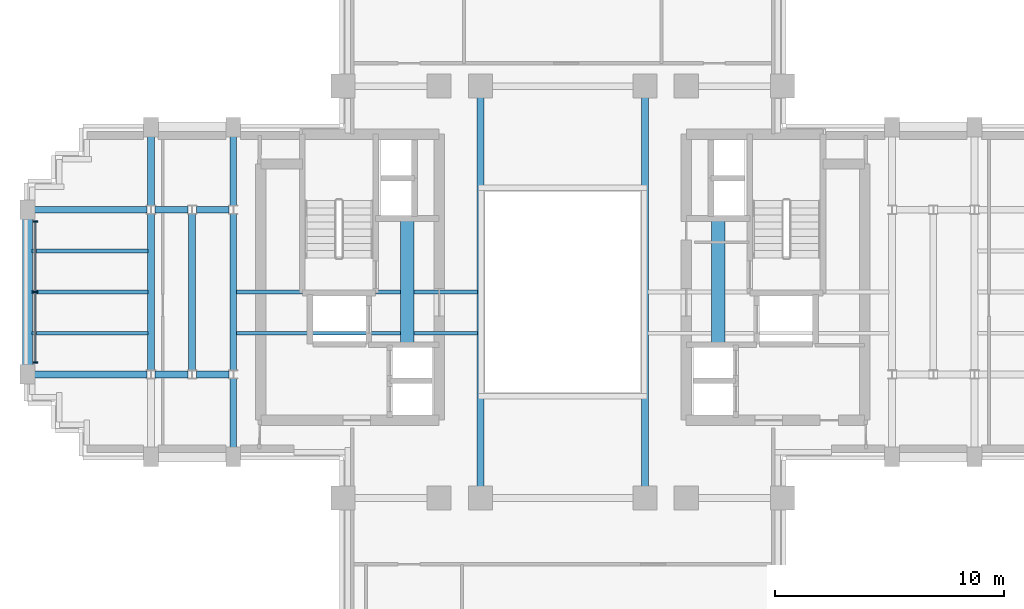
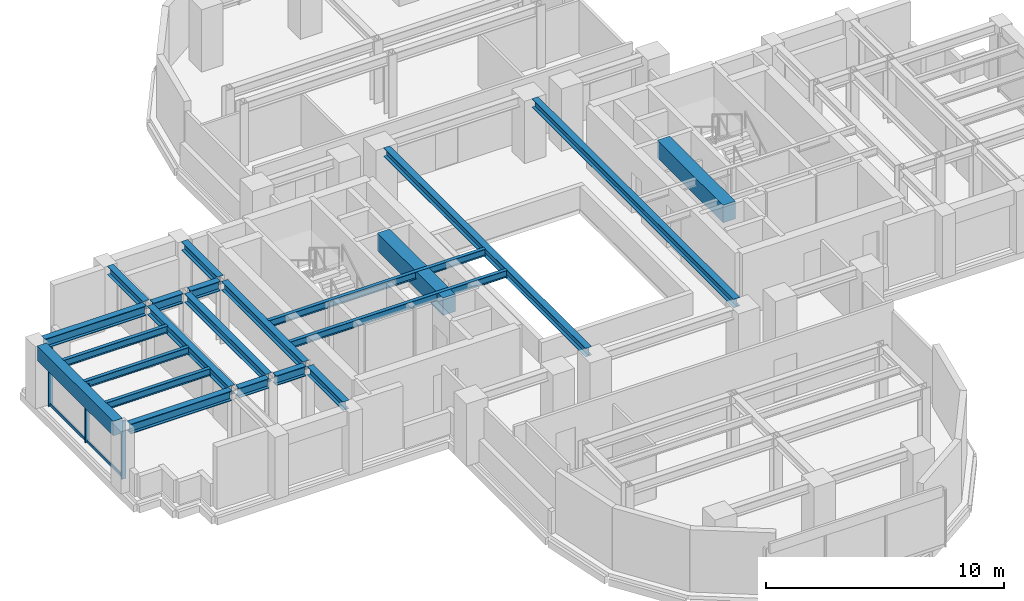
# One storey, part 4 of 13: 22 beams, 5 members, 1 element without a shape of its own.
"""IFC4 building model written with IfcOpenShell, lengths in metres."""

from ifc_helpers import new_model, si_unit, direction, frame, origin, origin_2d, place, context, subcontext, project, spatial, rectangle, i_section, extrude, source, transform, mapped, material, material_profile, profile_set, type_object, element, aggregate, save


model = new_model("IFC4")

# Units and contexts
model_context = context("Model", 3, precision=1e-05, world=origin(), true_north=direction((0.0, 1.0)))
body_context = subcontext(model_context, "Body", "Model", "MODEL_VIEW")
ifc_project = project(units=[si_unit("LENGTHUNIT", "METRE"), si_unit("AREAUNIT", "SQUARE_METRE"), si_unit("VOLUMEUNIT", "CUBIC_METRE"), si_unit("PLANEANGLEUNIT", "RADIAN"), si_unit("MASSUNIT", "GRAM", prefix="KILO")], contexts=[model_context])

# Site, building, storey
site_placement = place(None, origin())
site = spatial("IfcSite", under=ifc_project, at=site_placement, CompositionType="ELEMENT")
building_placement = place(site_placement, origin())
building = spatial("IfcBuilding", under=site, at=building_placement, Name="Keilestroom Media Tower", CompositionType="ELEMENT")
storey_placement = place(building_placement, frame((0.0, 0.0, 138.0)))
storey = spatial("IfcBuildingStorey", under=building, at=storey_placement, Name="L37", CompositionType="ELEMENT", Elevation=138.0)

# Beams
ifc_material_1 = material(Name="Concrete C70/85", Category="concrete")
ifc_material_profile_1 = material_profile(ifc_material_1, rectangle(XDim=0.60009765625, YDim=0.89990234375, at=origin_2d()), Name="RC 600x900")
ifc_profile_set_1 = profile_set([ifc_material_profile_1], Name="Concrete C70/85")
beam_type_1 = type_object("IfcBeamType", Name="Core-Coupling-Lintel-Beam-RC-600x900", PredefinedType="LINTEL", material=ifc_profile_set_1)
shared_shape_1 = source(origin(), body_context, "Body", "SweptSolid", [
    extrude(rectangle(XDim=0.60009765625, YDim=0.89990234375, at=origin_2d()), origin(), (0.0, 0.0, 1.0), 5.52001953125),
])
for number, where, z_axis, x_axis, name in (
    (1, (-6.800048828125, -2.300048828125, 2.75), (0.0, 1.0, 0.0), (-1.0, 0.0, 0.0), "L37 Beam CLB-1 CLB-L37-W"),
    (2, (6.800048828125, -2.300048828125, 2.75), (0.0, 1.0, 0.0), (-1.0, 0.0, 0.0), "L37 Beam CLB-1 CLB-L37-E"),
):
    element("IfcBeam", number, at=place(storey_placement, frame(where, z_axis=z_axis, x_axis=x_axis)), inside=storey, type_object=beam_type_1, Name=name, PredefinedType="LINTEL", context=body_context, shape_type="MappedRepresentation", body=[
        mapped(shared_shape_1, transform((0.0, 0.0, 0.0), x_axis=(1.0, 0.0, 0.0), y_axis=(0.0, 1.0, 0.0), z_axis=(0.0, 0.0, 1.0), scale=1.0)),
    ])
ifc_material_2 = material(Name="Steel S355", Category="steel")
ifc_material_profile_2 = material_profile(ifc_material_2, i_section(OverallWidth=0.169921875, OverallDepth=0.360107421875, WebThickness=0.008056640625, FlangeThickness=0.0126953125, at=origin_2d()), Name="IPE 360")
ifc_profile_set_2 = profile_set([ifc_material_profile_2], Name="Steel S355")
beam_type_2 = type_object("IfcBeamType", Name="Secondary-Floor-Joist-IPE-360", PredefinedType="JOIST", material=ifc_profile_set_2)
shared_shape_2 = source(origin(), body_context, "Body", "SweptSolid", [
    extrude(i_section(OverallWidth=0.169921875, OverallDepth=0.360107421875, WebThickness=0.008056640625, FlangeThickness=0.0126953125, at=origin_2d()), origin(), (0.0, 0.0, 1.0), 10.5400390625),
])
for number, where, z_axis, x_axis, name in (
    (3, (-14.27001953125, -1.800048828125, 3.02001953125), (1.0, 0.0, 0.0), (0.0, 1.0, 0.0), "L37 Beam BJ-5 JST-L37-072"),
    (4, (-14.27001953125, 0.0, 3.02001953125), (1.0, 0.0, 0.0), (0.0, 1.0, 0.0), "L37 Beam BJ-5 JST-L37-077"),
):
    element("IfcBeam", number, at=place(storey_placement, frame(where, z_axis=z_axis, x_axis=x_axis)), inside=storey, type_object=beam_type_2, Name=name, PredefinedType="JOIST", context=body_context, shape_type="MappedRepresentation", body=[
        mapped(shared_shape_2, transform((0.0, 0.0, 0.0), x_axis=(1.0, 0.0, 0.0), y_axis=(0.0, 1.0, 0.0), z_axis=(0.0, 0.0, 1.0), scale=1.0)),
    ])
ifc_material_profile_3 = material_profile(ifc_material_2, i_section(OverallWidth=0.300048828125, OverallDepth=0.5, WebThickness=0.012451171875, FlangeThickness=0.028076171875, at=origin_2d()), Name="HEB 500")
ifc_profile_set_3 = profile_set([ifc_material_profile_3], Name="Steel S355")
beam_type_3 = type_object("IfcBeamType", Name="Primary-Structural-Girder-HEB-500", PredefinedType="BEAM", material=ifc_profile_set_3)
shared_shape_3 = source(origin(), body_context, "Body", "SweptSolid", [
    extrude(i_section(OverallWidth=0.300048828125, OverallDepth=0.5, WebThickness=0.012451171875, FlangeThickness=0.028076171875, at=origin_2d()), origin(), (0.0, 0.0, 1.0), 4.91455078125),
])
for number, where, z_axis, x_axis, name in (
    (5, (-23.094970703125, -3.60009765625, 2.949951171875), (1.0, 0.0, 0.0), (0.0, 1.0, 0.0), "L37 Beam BG-6 BM-L37-EW-014"),
    (6, (-23.094970703125, 3.60009765625, 2.949951171875), (1.0, 0.0, 0.0), (0.0, 1.0, 0.0), "L37 Beam BG-6 BM-L37-EW-020"),
):
    element("IfcBeam", number, at=place(storey_placement, frame(where, z_axis=z_axis, x_axis=x_axis)), inside=storey, type_object=beam_type_3, Name=name, PredefinedType="BEAM", context=body_context, shape_type="MappedRepresentation", body=[
        mapped(shared_shape_3, transform((0.0, 0.0, 0.0), x_axis=(1.0, 0.0, 0.0), y_axis=(0.0, 1.0, 0.0), z_axis=(0.0, 0.0, 1.0), scale=1.0)),
    ])
shared_shape_4 = source(origin(), body_context, "Body", "SweptSolid", [
    extrude(i_section(OverallWidth=0.300048828125, OverallDepth=0.5, WebThickness=0.012451171875, FlangeThickness=0.028076171875, at=origin_2d()), origin(), (0.0, 0.0, 1.0), 1.43896484375),
])
for number, where, z_axis, x_axis, name in (
    (7, (-17.819580078125, -3.60009765625, 2.949951171875), (1.0, 0.0, 0.0), (0.0, 1.0, 0.0), "L37 Beam BG-6 BM-L37-EW-015"),
    (8, (-16.01953125, -3.60009765625, 2.949951171875), (1.0, 0.0, 0.0), (0.0, 1.0, 0.0), "L37 Beam BG-6 BM-L37-EW-016"),
    (9, (-17.819580078125, 3.60009765625, 2.949951171875), (1.0, 0.0, 0.0), (0.0, 1.0, 0.0), "L37 Beam BG-6 BM-L37-EW-021"),
    (10, (-16.01953125, 3.60009765625, 2.949951171875), (1.0, 0.0, 0.0), (0.0, 1.0, 0.0), "L37 Beam BG-6 BM-L37-EW-022"),
):
    element("IfcBeam", number, at=place(storey_placement, frame(where, z_axis=z_axis, x_axis=x_axis)), inside=storey, type_object=beam_type_3, Name=name, PredefinedType="BEAM", context=body_context, shape_type="MappedRepresentation", body=[
        mapped(shared_shape_4, transform((0.0, 0.0, 0.0), x_axis=(1.0, 0.0, 0.0), y_axis=(0.0, 1.0, 0.0), z_axis=(0.0, 0.0, 1.0), scale=1.0)),
    ])
ifc_material_3 = material(Name="Precast concrete C40/50", Category="concrete")
ifc_material_profile_4 = material_profile(ifc_material_3, rectangle(XDim=0.449951171875, YDim=0.75, at=origin_2d()), Name="PC 450x750")
ifc_profile_set_4 = profile_set([ifc_material_profile_4], Name="Precast concrete C40/50")
beam_type_4 = type_object("IfcBeamType", Name="Perimeter-Spandrel-Beam-PC-450x750", PredefinedType="SPANDREL", material=ifc_profile_set_4)
shared_shape_5 = source(origin(), body_context, "Body", "SweptSolid", [
    extrude(rectangle(XDim=0.449951171875, YDim=0.75, at=origin_2d()), origin(), (0.0, 0.0, 1.0), 6.39013671875),
])
beam_placement = place(storey_placement, frame((-23.39990234375, -3.195068359375, 2.824951171875), z_axis=(0.0, 1.0, 0.0), x_axis=(-1.0, 0.0, 0.0)))
element("IfcBeam", 11, at=beam_placement, inside=storey, type_object=beam_type_4, Name="L37 Beam SPB-1 BM-L37-NS-039", PredefinedType="SPANDREL", context=body_context, shape_type="MappedRepresentation", body=[
    mapped(shared_shape_5, transform((0.0, 0.0, 0.0), x_axis=(1.0, 0.0, 0.0), y_axis=(0.0, 1.0, 0.0), z_axis=(0.0, 0.0, 1.0), scale=1.0)),
])
shared_shape_6 = source(origin(), body_context, "Body", "SweptSolid", [
    extrude(i_section(OverallWidth=0.169921875, OverallDepth=0.360107421875, WebThickness=0.008056640625, FlangeThickness=0.0126953125, at=origin_2d()), origin(), (0.0, 0.0, 1.0), 5.065185546875),
])
for number, where, z_axis, x_axis, name in (
    (12, (-23.195068359375, -1.800048828125, 3.02001953125), (1.0, 0.0, 0.0), (0.0, 1.0, 0.0), "L37 Beam BJ-5 JST-L37-071"),
    (13, (-23.195068359375, 0.0, 3.02001953125), (1.0, 0.0, 0.0), (0.0, 1.0, 0.0), "L37 Beam BJ-5 JST-L37-076"),
    (14, (-23.195068359375, 1.800048828125, 3.02001953125), (1.0, 0.0, 0.0), (0.0, 1.0, 0.0), "L37 Beam BJ-5 JST-L37-081"),
):
    element("IfcBeam", number, at=place(storey_placement, frame(where, z_axis=z_axis, x_axis=x_axis)), inside=storey, type_object=beam_type_2, Name=name, PredefinedType="JOIST", context=body_context, shape_type="MappedRepresentation", body=[
        mapped(shared_shape_6, transform((0.0, 0.0, 0.0), x_axis=(1.0, 0.0, 0.0), y_axis=(0.0, 1.0, 0.0), z_axis=(0.0, 0.0, 1.0), scale=1.0)),
    ])
ifc_material_profile_5 = material_profile(ifc_material_2, i_section(OverallWidth=0.300048828125, OverallDepth=0.43994140625, WebThickness=0.011474609375, FlangeThickness=0.02099609375, at=origin_2d()), Name="HEA 450")
ifc_profile_set_5 = profile_set([ifc_material_profile_5], Name="Steel S355")
beam_type_5 = type_object("IfcBeamType", Name="Primary-Structural-Girder-HEA-450", PredefinedType="BEAM", material=ifc_profile_set_5)
shared_shape_7 = source(origin(), body_context, "Body", "SweptSolid", [
    extrude(i_section(OverallWidth=0.300048828125, OverallDepth=0.43994140625, WebThickness=0.011474609375, FlangeThickness=0.02099609375, at=origin_2d()), origin(), (0.0, 0.0, 1.0), 3.015380859375),
])
for number, where, z_axis, x_axis, name in (
    (15, (-18.0, 3.779541015625, 2.97998046875), (0.0, 1.0, 0.0), (-1.0, 0.0, 0.0), "L37 Beam BG-11 BM-L37-NS-042"),
    (16, (-14.39990234375, -6.794921875, 2.97998046875), (0.0, 1.0, 0.0), (-1.0, 0.0, 0.0), "L37 Beam BG-11 BM-L37-NS-044"),
    (17, (-14.39990234375, 3.779541015625, 2.97998046875), (0.0, 1.0, 0.0), (-1.0, 0.0, 0.0), "L37 Beam BG-11 BM-L37-NS-046"),
):
    element("IfcBeam", number, at=place(storey_placement, frame(where, z_axis=z_axis, x_axis=x_axis)), inside=storey, type_object=beam_type_5, Name=name, PredefinedType="BEAM", context=body_context, shape_type="MappedRepresentation", body=[
        mapped(shared_shape_7, transform((0.0, 0.0, 0.0), x_axis=(1.0, 0.0, 0.0), y_axis=(0.0, 1.0, 0.0), z_axis=(0.0, 0.0, 1.0), scale=1.0)),
    ])
shared_shape_8 = source(origin(), body_context, "Body", "SweptSolid", [
    extrude(i_section(OverallWidth=0.300048828125, OverallDepth=0.43994140625, WebThickness=0.011474609375, FlangeThickness=0.02099609375, at=origin_2d()), origin(), (0.0, 0.0, 1.0), 6.8408203125),
])
for number, where, z_axis, x_axis, name in (
    (18, (-18.0, -3.42041015625, 2.97998046875), (0.0, 1.0, 0.0), (-1.0, 0.0, 0.0), "L37 Beam BG-11 BM-L37-NS-041"),
    (19, (-16.199951171875, -3.42041015625, 2.97998046875), (0.0, 1.0, 0.0), (-1.0, 0.0, 0.0), "L37 Beam BG-11 BM-L37-NS-043"),
    (20, (-14.39990234375, -3.42041015625, 2.97998046875), (0.0, 1.0, 0.0), (-1.0, 0.0, 0.0), "L37 Beam BG-11 BM-L37-NS-045"),
):
    element("IfcBeam", number, at=place(storey_placement, frame(where, z_axis=z_axis, x_axis=x_axis)), inside=storey, type_object=beam_type_5, Name=name, PredefinedType="BEAM", context=body_context, shape_type="MappedRepresentation", body=[
        mapped(shared_shape_8, transform((0.0, 0.0, 0.0), x_axis=(1.0, 0.0, 0.0), y_axis=(0.0, 1.0, 0.0), z_axis=(0.0, 0.0, 1.0), scale=1.0)),
    ])
shared_shape_9 = source(origin(), body_context, "Body", "SweptSolid", [
    extrude(i_section(OverallWidth=0.300048828125, OverallDepth=0.43994140625, WebThickness=0.011474609375, FlangeThickness=0.02099609375, at=origin_2d()), origin(), (0.0, 0.0, 1.0), 16.990234375),
])
for number, where, z_axis, x_axis, name in (
    (21, (-3.60009765625, -8.4951171875, 2.97998046875), (0.0, 1.0, 0.0), (-1.0, 0.0, 0.0), "L37 Beam BG-11 BM-L37-NS-051"),
    (22, (3.60009765625, -8.4951171875, 2.97998046875), (0.0, 1.0, 0.0), (-1.0, 0.0, 0.0), "L37 Beam BG-11 BM-L37-NS-056"),
):
    element("IfcBeam", number, at=place(storey_placement, frame(where, z_axis=z_axis, x_axis=x_axis)), inside=storey, type_object=beam_type_5, Name=name, PredefinedType="BEAM", context=body_context, shape_type="MappedRepresentation", body=[
        mapped(shared_shape_9, transform((0.0, 0.0, 0.0), x_axis=(1.0, 0.0, 0.0), y_axis=(0.0, 1.0, 0.0), z_axis=(0.0, 0.0, 1.0), scale=1.0)),
    ])

# Curtain wall, members
ifc_material_4 = material(Name="Anodised Aluminium Alloy", Category="aluminium")
curtain_wall_type = type_object("IfcCurtainWallType", Name="Unitised-Curtain-Wall-CW-2", PredefinedType="NOTDEFINED", material=ifc_material_4)
curtain_wall_placement = place(storey_placement, origin())
curtain_wall = element("IfcCurtainWall", 23, at=curtain_wall_placement, inside=storey, type_object=curtain_wall_type, Name="L37 Curtain Wall CW-2 CW-L37-W-1", PredefinedType="NOTDEFINED")
ifc_material_profile_6 = material_profile(ifc_material_4, rectangle(XDim=0.070068359375, YDim=0.199951171875, at=origin_2d()), Name="ALU MULLION 70x200")
ifc_profile_set_6 = profile_set([ifc_material_profile_6], Name="Anodised Aluminium Alloy")
member_type_1 = type_object("IfcMemberType", Name="Curtain-Wall-Mullion-CW-2", PredefinedType="MULLION", material=ifc_profile_set_6)
shared_shape_10 = source(origin(), body_context, "Body", "SweptSolid", [
    extrude(rectangle(XDim=0.070068359375, YDim=0.199951171875, at=origin_2d()), origin(), (0.0, 0.0, 1.0), 2.97998046875),
])
member_1_placement = place(storey_placement, frame((-23.050048828125, -3.080078125, 0.0), z_axis=(0.0, 0.0, 1.0), x_axis=(0.0, 1.0, 0.0)))
member_1 = element("IfcMember", 24, at=member_1_placement, type_object=member_type_1, Name="CW-2 Mullion 00", PredefinedType="MULLION", context=body_context, shape_type="MappedRepresentation", body=[
    mapped(shared_shape_10, transform((0.0, 0.0, 0.0), x_axis=(1.0, 0.0, 0.0), y_axis=(0.0, 1.0, 0.0), z_axis=(0.0, 0.0, 1.0), scale=1.0)),
])
member_2_placement = place(storey_placement, frame((-23.050048828125, 0.0, 0.0), z_axis=(0.0, 0.0, 1.0), x_axis=(0.0, 1.0, 0.0)))
member_2 = element("IfcMember", 25, at=member_2_placement, type_object=member_type_1, Name="CW-2 Mullion 01", PredefinedType="MULLION", context=body_context, shape_type="MappedRepresentation", body=[
    mapped(shared_shape_10, transform((0.0, 0.0, 0.0), x_axis=(1.0, 0.0, 0.0), y_axis=(0.0, 1.0, 0.0), z_axis=(0.0, 0.0, 1.0), scale=1.0)),
])
member_3_placement = place(storey_placement, frame((-23.050048828125, 3.080078125, 0.0), z_axis=(0.0, 0.0, 1.0), x_axis=(0.0, 1.0, 0.0)))
member_3 = element("IfcMember", 26, at=member_3_placement, type_object=member_type_1, Name="CW-2 Mullion 02", PredefinedType="MULLION", context=body_context, shape_type="MappedRepresentation", body=[
    mapped(shared_shape_10, transform((0.0, 0.0, 0.0), x_axis=(1.0, 0.0, 0.0), y_axis=(0.0, 1.0, 0.0), z_axis=(0.0, 0.0, 1.0), scale=1.0)),
])
ifc_material_profile_7 = material_profile(ifc_material_4, rectangle(XDim=0.06494140625, YDim=0.14990234375, at=origin_2d()), Name="ALU TRANSOM 65x150")
ifc_profile_set_7 = profile_set([ifc_material_profile_7], Name="Anodised Aluminium Alloy")
member_type_2 = type_object("IfcMemberType", Name="Curtain-Wall-Transom-CW-2", PredefinedType="USERDEFINED", material=ifc_profile_set_7)
shared_shape_11 = source(origin(), body_context, "Body", "SweptSolid", [
    extrude(rectangle(XDim=0.06494140625, YDim=0.14990234375, at=origin_2d()), origin(), (0.0, 0.0, 1.0), 3.01416015625),
])
member_4_placement = place(storey_placement, frame((-23.050048828125, -3.047119140625, 0.074951171875), z_axis=(0.0, 1.0, 0.0), x_axis=(-1.0, 0.0, 0.0)))
member_4 = element("IfcMember", 27, at=member_4_placement, type_object=member_type_2, Name="CW-2 Transom 00.1", ObjectType="TRANSOM", PredefinedType="USERDEFINED", context=body_context, shape_type="MappedRepresentation", body=[
    mapped(shared_shape_11, transform((0.0, 0.0, 0.0), x_axis=(1.0, 0.0, 0.0), y_axis=(0.0, 1.0, 0.0), z_axis=(0.0, 0.0, 1.0), scale=1.0)),
])
member_5_placement = place(storey_placement, frame((-23.050048828125, 0.032958984375, 0.074951171875), z_axis=(0.0, 1.0, 0.0), x_axis=(-1.0, 0.0, 0.0)))
member_5 = element("IfcMember", 28, at=member_5_placement, type_object=member_type_2, Name="CW-2 Transom 01.1", ObjectType="TRANSOM", PredefinedType="USERDEFINED", context=body_context, shape_type="MappedRepresentation", body=[
    mapped(shared_shape_11, transform((0.0, 0.0, 0.0), x_axis=(1.0, 0.0, 0.0), y_axis=(0.0, 1.0, 0.0), z_axis=(0.0, 0.0, 1.0), scale=1.0)),
])
aggregate(curtain_wall, [member_1, member_2, member_3, member_4, member_5])

save(model, "model.ifc")
